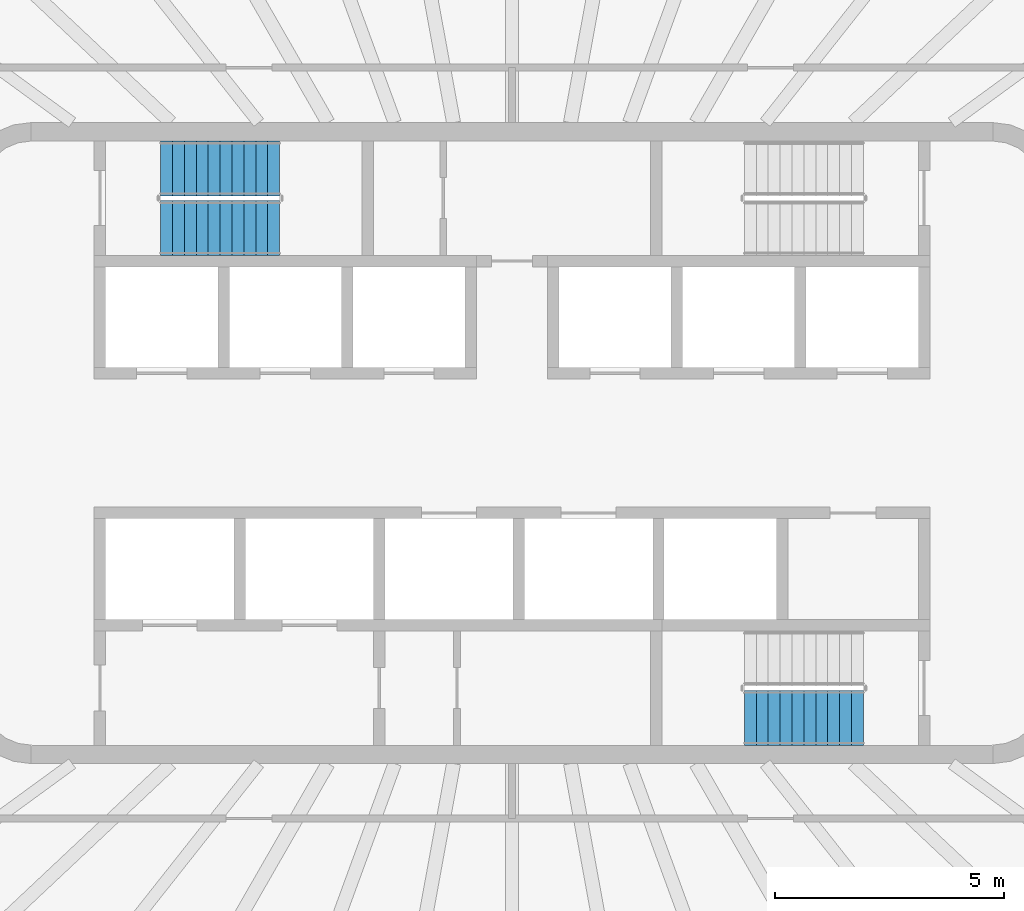
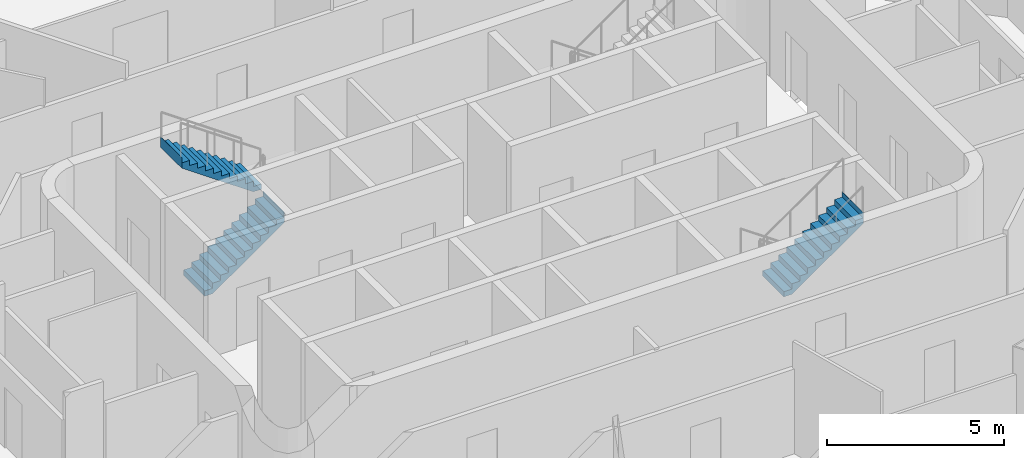
# One storey, part 14 of 21: 3 stair flights, 2 elements without a shape of their own.
"""IFC4 building model written with IfcOpenShell, lengths in metres."""

import ifcopenshell
import ifcopenshell.guid

model = None  # the IFC model being written
_history = None  # IfcOwnerHistory: only IFC2X3 demands one
_inside = {}  # id of a spatial element -> (the spatial element, [elements in it])
_under = {}  # id of a project, library or spatial element -> (it, [spatial elements below it])
_declared = {}  # id of a project -> (the project, [libraries it declares])
_typed = {}  # id of a type object -> (the type object, [elements of that type])
_made_of = {}  # id of a material, layer set ... -> (it, [elements and type objects made of it])


def new_model(schema):
    """Start an empty IFC model of exactly this schema.

    Asked for "IFC4X3", IfcOpenShell would pick the latest addendum, in which some entities
    have other attributes; the version numbers below select the first issue.
    IFC2X3 requires an IfcOwnerHistory on every rooted entity: one is made here for all.
    """
    global model, _history
    if schema == "IFC4X3":
        model = ifcopenshell.file(schema_version=(4, 3, 0, 0))
    else:
        model = ifcopenshell.file(schema=schema)
    _inside.clear()
    _under.clear()
    _declared.clear()
    _typed.clear()
    _made_of.clear()
    _history = None
    if model.schema == "IFC2X3":
        org = make("IfcOrganization", Name="unknown")
        user = make(
            "IfcPersonAndOrganization",
            ThePerson=make("IfcPerson", FamilyName="unknown"),
            TheOrganization=org,
        )
        app = make(
            "IfcApplication",
            ApplicationDeveloper=org,
            Version="unknown",
            ApplicationFullName="unknown",
            ApplicationIdentifier="unknown",
        )
        _history = make(
            "IfcOwnerHistory",
            OwningUser=user,
            OwningApplication=app,
            ChangeAction="ADDED",
            CreationDate=0,
        )
    return model


def make(cls, **values):
    """One entity of the class cls with the attributes given. An attribute that is None is left unset."""
    return model.create_entity(
        cls, **{name: value for name, value in values.items() if value is not None}
    )


def rooted(cls, **values):
    """An entity with a GlobalId (a new one), such as an element, a storey or a relation."""
    return make(cls, GlobalId=ifcopenshell.guid.new(), OwnerHistory=_history, **values)


def si_unit(unit_type, name, prefix=None):
    """IfcSIUnit, for example si_unit("LENGTHUNIT", "METRE", prefix="MILLI")."""
    return make("IfcSIUnit", UnitType=unit_type, Prefix=prefix, Name=name)


def assignment(units):
    """IfcUnitAssignment: the units of a project."""
    return None if units is None else make("IfcUnitAssignment", Units=units)


def point(xyz):
    """IfcCartesianPoint."""
    return None if xyz is None else make("IfcCartesianPoint", Coordinates=xyz)


def direction(xyz):
    """IfcDirection."""
    return None if xyz is None else make("IfcDirection", DirectionRatios=xyz)


def frame(location, z_axis=None, x_axis=None):
    """IfcAxis2Placement3D, a coordinate frame: its origin and axes. An axis left out is left unset."""
    return make(
        "IfcAxis2Placement3D",
        Location=point(location),
        Axis=direction(z_axis),
        RefDirection=direction(x_axis),
    )


def origin():
    """The frame at (0, 0, 0) with its axes left unset."""
    return frame((0.0, 0.0, 0.0))


def place(relative_to, where):
    """IfcLocalPlacement: puts the frame where relative to a parent placement (None: the world)."""
    return make(
        "IfcLocalPlacement", PlacementRelTo=relative_to, RelativePlacement=where
    )


def context(
    kind, dimensions, precision=None, world=None, true_north=None, identifier=None
):
    """IfcGeometricRepresentationContext, for example the 3D "Model" context."""
    return make(
        "IfcGeometricRepresentationContext",
        ContextIdentifier=identifier,
        ContextType=kind,
        CoordinateSpaceDimension=dimensions,
        Precision=precision,
        WorldCoordinateSystem=world,
        TrueNorth=true_north,
    )


def subcontext(parent, identifier, kind, view, scale=None):
    """IfcGeometricRepresentationSubContext, for example "Body" below "Model"."""
    return make(
        "IfcGeometricRepresentationSubContext",
        ContextIdentifier=identifier,
        ContextType=kind,
        ParentContext=parent,
        TargetScale=scale,
        TargetView=view,
    )


def project(units=None, contexts=None):
    """IfcProject with its units and contexts."""
    return rooted(
        "IfcProject",
        Name="project",
        RepresentationContexts=contexts,
        UnitsInContext=assignment(units),
    )


def spatial(cls, under=None, at=None, **own):
    """A site, building, storey or space (cls), placed at a placement, below another one or the project."""
    s = rooted(cls, ObjectPlacement=at, **own)
    if under is not None:
        _under.setdefault(under.id(), (under, []))[1].append(s)
    return s


def point_list(points):
    """IfcCartesianPointList2D or 3D."""
    cls = (
        "IfcCartesianPointList2D" if len(points[0]) == 2 else "IfcCartesianPointList3D"
    )
    return make(cls, CoordList=points)


def triangles(points, corners, closed=None, point_numbers=None):
    """IfcTriangulatedFaceSet: each triangle names its three corners, points numbered from 1."""
    return make(
        "IfcTriangulatedFaceSet",
        Coordinates=point_list(points),
        Closed=closed,
        CoordIndex=corners,
        PnIndex=point_numbers,
    )


def shape(context_of_items, identifier, shape_type, items):
    """IfcShapeRepresentation: the items that make up one representation, for example the "Body"."""
    return make(
        "IfcShapeRepresentation",
        ContextOfItems=context_of_items,
        RepresentationIdentifier=identifier,
        RepresentationType=shape_type,
        Items=items,
    )


def material(Name=None, Category=None):
    """IfcMaterial."""
    return make("IfcMaterial", Name=Name, Category=Category)


def made_of(thing, what):
    """Note that an element or type object is made of a material, layer set ...; save() writes the relation."""
    if what is not None:
        _made_of.setdefault(what.id(), (what, []))[1].append(thing)
    return thing


def type_object(cls, material=None, **own):
    """A type object (cls), such as IfcWallType, which elements share."""
    return made_of(rooted(cls, **own), material)


def element(
    cls,
    number,
    at=None,
    inside=None,
    cuts=None,
    type_object=None,
    material=None,
    context=None,
    identifier="Body",
    shape_type=None,
    held_by="IfcProductDefinitionShape",
    body=None,
    shapes=None,
    **own,
):
    """One element of the class cls, such as IfcWall. Its Tag is "e" and its number.

    at: its placement. inside: the storey or other place that contains it. cuts: it is an
    opening in that element (IfcRelVoidsElement). A single representation is given by context,
    identifier, shape_type and body (its items); several are given by shapes. held_by: the class
    of the entity that holds the representations. save() writes the other relations.
    """
    e = rooted(cls, Tag="e%d" % number, ObjectPlacement=at, **own)
    if body is not None:
        shapes = [shape(context, identifier, shape_type, body)]
    if shapes is not None:
        e.Representation = make(held_by, Representations=shapes)
    if inside is not None:
        _inside.setdefault(inside.id(), (inside, []))[1].append(e)
    if cuts is not None:
        rooted(
            "IfcRelVoidsElement", RelatingBuildingElement=cuts, RelatedOpeningElement=e
        )
    if type_object is not None:
        _typed.setdefault(type_object.id(), (type_object, []))[1].append(e)
    return made_of(e, material)


def aggregate(whole, parts):
    """IfcRelAggregates: a whole, such as a stair, and the parts it consists of."""
    return rooted("IfcRelAggregates", RelatingObject=whole, RelatedObjects=parts)


def save(model, path):
    """Write the relations noted so far, then the file.

    IfcRelAggregates (storeys below a building ...), IfcRelContainedInSpatialStructure (elements
    in a storey), IfcRelDefinesByType, IfcRelAssociatesMaterial and IfcRelDeclares: one each for
    every whole, place, type object, material and project.
    """
    for whole, parts in _under.values():
        aggregate(whole, parts)
    for where, things in _inside.values():
        rooted(
            "IfcRelContainedInSpatialStructure",
            RelatedElements=things,
            RelatingStructure=where,
        )
    for kind, things in _typed.values():
        rooted("IfcRelDefinesByType", RelatedObjects=things, RelatingType=kind)
    for what, things in _made_of.values():
        rooted("IfcRelAssociatesMaterial", RelatedObjects=things, RelatingMaterial=what)
    for by, libraries in _declared.values():
        rooted("IfcRelDeclares", RelatingContext=by, RelatedDefinitions=libraries)
    model.write(path)


model = new_model("IFC4")

# Units and contexts
model_context = context("Model", 3, precision=1e-05, world=origin(), true_north=direction((0.0, 1.0)))
body_context = subcontext(model_context, "Body", "Model", "MODEL_VIEW")
ifc_project = project(units=[si_unit("LENGTHUNIT", "METRE"), si_unit("AREAUNIT", "SQUARE_METRE"), si_unit("VOLUMEUNIT", "CUBIC_METRE"), si_unit("PLANEANGLEUNIT", "RADIAN"), si_unit("MASSUNIT", "GRAM", prefix="KILO")], contexts=[model_context])

# Site, building, storey
site_placement = place(None, origin())
site = spatial("IfcSite", under=ifc_project, at=site_placement, CompositionType="ELEMENT")
building_placement = place(site_placement, origin())
building = spatial("IfcBuilding", under=site, at=building_placement, Name="Sahrelin Media Tower", CompositionType="ELEMENT")
storey_placement = place(building_placement, frame((0.0, 0.0, 304.39990234375)))
storey = spatial("IfcBuildingStorey", under=building, at=storey_placement, Name="L67", CompositionType="ELEMENT", Elevation=304.39990234375)

# Stair, stair flights
ifc_material = material(Name="Concrete C40/50", Category="concrete")
stair_type = type_object("IfcStairType", Name="Exit stair 1200", PredefinedType="HALF_TURN_STAIR", material=ifc_material)
placement = place(storey_placement, origin())
stair_1 = element("IfcStair", 1, at=placement, inside=storey, type_object=stair_type, Name="L67 Exit stair ST1", PredefinedType="HALF_TURN_STAIR")
stair_flight_type = type_object("IfcStairFlightType", Name="Stair flight 1200", PredefinedType="STRAIGHT", material=ifc_material)
stair_flight_1_placement = place(storey_placement, frame((-7.675048828125, 4.699951171875, 0.0), z_axis=(0.0, 0.0, 1.0), x_axis=(1.0, 0.0, 0.0)))
stair_flight_1 = element("IfcStairFlight", 2, at=stair_flight_1_placement, type_object=stair_flight_type, Name="ST1 flight 1", NumberOfRisers=11, NumberOfTreads=10, PredefinedType="STRAIGHT", RiserHeight=0.181818182, TreadLength=0.26, context=body_context, shape_type="Tessellation", body=[
    triangles([(0.261474609375, 0.60009765625, 0.0), (0.261474609375, 0.300048828125, 0.0), (0.261474609375, 0.0, 0.0), (0.261474609375, -0.300048828125, 0.0), (0.261474609375, -0.60009765625, 0.0), (2.60009765625, 0.60009765625, 1.63525390625), (2.60009765625, 0.300048828125, 1.63525390625), (2.60009765625, 0.0, 1.63525390625), (2.60009765625, -0.300048828125, 1.63525390625), (2.60009765625, -0.60009765625, 1.63525390625), (2.60009765625, 0.60009765625, 2.0), (2.60009765625, 0.300048828125, 2.0), (2.60009765625, 0.0, 2.0), (2.60009765625, -0.300048828125, 2.0), (2.60009765625, -0.60009765625, 2.0), (2.597900390625, 0.60009765625, 2.0), (2.597900390625, 0.300048828125, 2.0), (2.597900390625, 0.0, 2.0), (2.597900390625, -0.300048828125, 2.0), (2.597900390625, -0.60009765625, 2.0), (2.597900390625, 0.60009765625, 1.818115234375), (2.597900390625, 0.300048828125, 1.818115234375), (2.597900390625, 0.0, 1.818115234375), (2.597900390625, -0.300048828125, 1.818115234375), (2.597900390625, -0.60009765625, 1.818115234375), (2.340087890625, 0.60009765625, 1.818115234375), (2.340087890625, 0.300048828125, 1.818115234375), (2.340087890625, 0.0, 1.818115234375), (2.340087890625, -0.300048828125, 1.818115234375), (2.340087890625, -0.60009765625, 1.818115234375), (2.340087890625, 0.60009765625, 1.636474609375), (2.340087890625, 0.300048828125, 1.636474609375), (2.340087890625, 0.0, 1.636474609375), (2.340087890625, -0.300048828125, 1.636474609375), (2.340087890625, -0.60009765625, 1.636474609375), (2.080078125, 0.60009765625, 1.636474609375), (2.080078125, 0.300048828125, 1.636474609375), (2.080078125, 0.0, 1.636474609375), (2.080078125, -0.300048828125, 1.636474609375), (2.080078125, -0.60009765625, 1.636474609375), (2.080078125, 0.60009765625, 1.45458984375), (2.080078125, 0.300048828125, 1.45458984375), (2.080078125, 0.0, 1.45458984375), (2.080078125, -0.300048828125, 1.45458984375), (2.080078125, -0.60009765625, 1.45458984375), (1.820068359375, 0.60009765625, 1.45458984375), (1.820068359375, 0.300048828125, 1.45458984375), (1.820068359375, 0.0, 1.45458984375), (1.820068359375, -0.300048828125, 1.45458984375), (1.820068359375, -0.60009765625, 1.45458984375), (1.820068359375, 0.60009765625, 1.272705078125), (1.820068359375, 0.300048828125, 1.272705078125), (1.820068359375, 0.0, 1.272705078125), (1.820068359375, -0.300048828125, 1.272705078125), (1.820068359375, -0.60009765625, 1.272705078125), (1.56005859375, 0.60009765625, 1.272705078125), (1.56005859375, 0.300048828125, 1.272705078125), (1.56005859375, 0.0, 1.272705078125), (1.56005859375, -0.300048828125, 1.272705078125), (1.56005859375, -0.60009765625, 1.272705078125), (1.56005859375, 0.60009765625, 1.0908203125), (1.56005859375, 0.300048828125, 1.0908203125), (1.56005859375, 0.0, 1.0908203125), (1.56005859375, -0.300048828125, 1.0908203125), (1.56005859375, -0.60009765625, 1.0908203125), (1.300048828125, 0.60009765625, 1.0908203125), (1.300048828125, 0.300048828125, 1.0908203125), (1.300048828125, 0.0, 1.0908203125), (1.300048828125, -0.300048828125, 1.0908203125), (1.300048828125, -0.60009765625, 1.0908203125), (1.300048828125, 0.60009765625, 0.9091796875), (1.300048828125, 0.300048828125, 0.9091796875), (1.300048828125, 0.0, 0.9091796875), (1.300048828125, -0.300048828125, 0.9091796875), (1.300048828125, -0.60009765625, 0.9091796875), (1.0400390625, 0.60009765625, 0.9091796875), (1.0400390625, 0.300048828125, 0.9091796875), (1.0400390625, 0.0, 0.9091796875), (1.0400390625, -0.300048828125, 0.9091796875), (1.0400390625, -0.60009765625, 0.9091796875), (1.0400390625, 0.60009765625, 0.727294921875), (1.0400390625, 0.300048828125, 0.727294921875), (1.0400390625, 0.0, 0.727294921875), (1.0400390625, -0.300048828125, 0.727294921875), (1.0400390625, -0.60009765625, 0.727294921875), (0.780029296875, 0.60009765625, 0.727294921875), (0.780029296875, 0.300048828125, 0.727294921875), (0.780029296875, 0.0, 0.727294921875), (0.780029296875, -0.300048828125, 0.727294921875), (0.780029296875, -0.60009765625, 0.727294921875), (0.780029296875, 0.60009765625, 0.54541015625), (0.780029296875, 0.300048828125, 0.54541015625), (0.780029296875, 0.0, 0.54541015625), (0.780029296875, -0.300048828125, 0.54541015625), (0.780029296875, -0.60009765625, 0.54541015625), (0.52001953125, 0.60009765625, 0.54541015625), (0.52001953125, 0.300048828125, 0.54541015625), (0.52001953125, 0.0, 0.54541015625), (0.52001953125, -0.300048828125, 0.54541015625), (0.52001953125, -0.60009765625, 0.54541015625), (0.52001953125, 0.60009765625, 0.363525390625), (0.52001953125, 0.300048828125, 0.363525390625), (0.52001953125, 0.0, 0.363525390625), (0.52001953125, -0.300048828125, 0.363525390625), (0.52001953125, -0.60009765625, 0.363525390625), (0.260009765625, 0.60009765625, 0.363525390625), (0.260009765625, 0.300048828125, 0.363525390625), (0.260009765625, 0.0, 0.363525390625), (0.260009765625, -0.300048828125, 0.363525390625), (0.260009765625, -0.60009765625, 0.363525390625), (0.260009765625, 0.60009765625, 0.181884765625), (0.260009765625, 0.300048828125, 0.181884765625), (0.260009765625, 0.0, 0.181884765625), (0.260009765625, -0.300048828125, 0.181884765625), (0.260009765625, -0.60009765625, 0.181884765625), (0.0, 0.60009765625, 0.181884765625), (0.0, 0.300048828125, 0.181884765625), (0.0, 0.0, 0.181884765625), (0.0, -0.300048828125, 0.181884765625), (0.0, -0.60009765625, 0.181884765625), (0.0, 0.60009765625, 0.0), (0.0, 0.300048828125, 0.0), (0.0, 0.0, 0.0), (0.0, -0.300048828125, 0.0), (0.0, -0.60009765625, 0.0)], [[1, 6, 7], [1, 7, 2], [2, 7, 8], [2, 8, 3], [3, 8, 9], [3, 9, 4], [4, 9, 10], [4, 10, 5], [6, 11, 12], [6, 12, 7], [7, 12, 13], [7, 13, 8], [8, 13, 14], [8, 14, 9], [9, 14, 15], [9, 15, 10], [11, 16, 17], [11, 17, 12], [12, 17, 18], [12, 18, 13], [13, 18, 19], [13, 19, 14], [14, 19, 20], [14, 20, 15], [16, 21, 22], [16, 22, 17], [17, 22, 23], [17, 23, 18], [18, 23, 24], [18, 24, 19], [19, 24, 25], [19, 25, 20], [21, 26, 27], [21, 27, 22], [22, 27, 28], [22, 28, 23], [23, 28, 29], [23, 29, 24], [24, 29, 30], [24, 30, 25], [26, 31, 32], [26, 32, 27], [27, 32, 33], [27, 33, 28], [28, 33, 34], [28, 34, 29], [29, 34, 35], [29, 35, 30], [31, 36, 37], [31, 37, 32], [32, 37, 38], [32, 38, 33], [33, 38, 39], [33, 39, 34], [34, 39, 40], [34, 40, 35], [36, 41, 42], [36, 42, 37], [37, 42, 43], [37, 43, 38], [38, 43, 44], [38, 44, 39], [39, 44, 45], [39, 45, 40], [41, 46, 47], [41, 47, 42], [42, 47, 48], [42, 48, 43], [43, 48, 49], [43, 49, 44], [44, 49, 50], [44, 50, 45], [46, 51, 52], [46, 52, 47], [47, 52, 53], [47, 53, 48], [48, 53, 54], [48, 54, 49], [49, 54, 55], [49, 55, 50], [51, 56, 57], [51, 57, 52], [52, 57, 58], [52, 58, 53], [53, 58, 59], [53, 59, 54], [54, 59, 60], [54, 60, 55], [56, 61, 62], [56, 62, 57], [57, 62, 63], [57, 63, 58], [58, 63, 64], [58, 64, 59], [59, 64, 65], [59, 65, 60], [61, 66, 67], [61, 67, 62], [62, 67, 68], [62, 68, 63], [63, 68, 69], [63, 69, 64], [64, 69, 70], [64, 70, 65], [66, 71, 72], [66, 72, 67], [67, 72, 73], [67, 73, 68], [68, 73, 74], [68, 74, 69], [69, 74, 75], [69, 75, 70], [71, 76, 77], [71, 77, 72], [72, 77, 78], [72, 78, 73], [73, 78, 79], [73, 79, 74], [74, 79, 80], [74, 80, 75], [76, 81, 82], [76, 82, 77], [77, 82, 83], [77, 83, 78], [78, 83, 84], [78, 84, 79], [79, 84, 85], [79, 85, 80], [81, 86, 87], [81, 87, 82], [82, 87, 88], [82, 88, 83], [83, 88, 89], [83, 89, 84], [84, 89, 90], [84, 90, 85], [86, 91, 92], [86, 92, 87], [87, 92, 93], [87, 93, 88], [88, 93, 94], [88, 94, 89], [89, 94, 95], [89, 95, 90], [91, 96, 97], [91, 97, 92], [92, 97, 98], [92, 98, 93], [93, 98, 99], [93, 99, 94], [94, 99, 100], [94, 100, 95], [96, 101, 102], [96, 102, 97], [97, 102, 103], [97, 103, 98], [98, 103, 104], [98, 104, 99], [99, 104, 105], [99, 105, 100], [101, 106, 107], [101, 107, 102], [102, 107, 108], [102, 108, 103], [103, 108, 109], [103, 109, 104], [104, 109, 110], [104, 110, 105], [106, 111, 112], [106, 112, 107], [107, 112, 113], [107, 113, 108], [108, 113, 114], [108, 114, 109], [109, 114, 115], [109, 115, 110], [111, 116, 117], [111, 117, 112], [112, 117, 118], [112, 118, 113], [113, 118, 119], [113, 119, 114], [114, 119, 120], [114, 120, 115], [116, 121, 122], [116, 122, 117], [117, 122, 123], [117, 123, 118], [118, 123, 124], [118, 124, 119], [119, 124, 125], [119, 125, 120], [121, 1, 2], [121, 2, 122], [122, 2, 3], [122, 3, 123], [123, 3, 4], [123, 4, 124], [124, 4, 5], [124, 5, 125], [115, 120, 125], [111, 121, 116], [115, 105, 110], [111, 106, 101], [105, 95, 100], [101, 96, 91], [95, 85, 90], [91, 86, 81], [85, 75, 80], [81, 76, 71], [75, 65, 70], [71, 66, 61], [65, 55, 60], [61, 56, 51], [55, 45, 50], [51, 46, 41], [45, 35, 40], [41, 36, 31], [35, 25, 30], [31, 26, 21], [25, 15, 20], [21, 16, 11], [125, 5, 115], [121, 111, 1], [25, 10, 15], [21, 11, 6], [105, 115, 5], [101, 1, 111], [35, 10, 25], [31, 21, 6], [95, 105, 5], [91, 1, 101], [45, 10, 35], [41, 31, 6], [85, 95, 5], [81, 1, 91], [55, 10, 45], [51, 41, 6], [75, 85, 5], [71, 1, 81], [65, 10, 55], [61, 51, 6], [5, 10, 75], [1, 71, 6], [75, 10, 65], [71, 61, 6]], closed=True),
])
stair_flight_2_placement = place(storey_placement, frame((-5.074951171875, 6.0, 2.0), z_axis=(0.0, 0.0, 1.0), x_axis=(-1.0, 0.0, 0.0)))
stair_flight_2 = element("IfcStairFlight", 3, at=stair_flight_2_placement, type_object=stair_flight_type, Name="ST1 flight 2", NumberOfRisers=11, NumberOfTreads=10, PredefinedType="STRAIGHT", RiserHeight=0.181818182, TreadLength=0.26, context=body_context, shape_type="Tessellation", body=[
    triangles([(0.261474609375, 0.60009765625, 0.0), (0.261474609375, 0.300048828125, 0.0), (0.261474609375, 0.0, 0.0), (0.261474609375, -0.300048828125, 0.0), (0.261474609375, -0.60009765625, 0.0), (2.60009765625, 0.60009765625, 1.63525390625), (2.60009765625, 0.300048828125, 1.63525390625), (2.60009765625, 0.0, 1.63525390625), (2.60009765625, -0.300048828125, 1.63525390625), (2.60009765625, -0.60009765625, 1.63525390625), (2.60009765625, 0.60009765625, 2.0), (2.60009765625, 0.300048828125, 2.0), (2.60009765625, 0.0, 2.0), (2.60009765625, -0.300048828125, 2.0), (2.60009765625, -0.60009765625, 2.0), (2.597900390625, 0.60009765625, 2.0), (2.597900390625, 0.300048828125, 2.0), (2.597900390625, 0.0, 2.0), (2.597900390625, -0.300048828125, 2.0), (2.597900390625, -0.60009765625, 2.0), (2.597900390625, 0.60009765625, 1.818115234375), (2.597900390625, 0.300048828125, 1.818115234375), (2.597900390625, 0.0, 1.818115234375), (2.597900390625, -0.300048828125, 1.818115234375), (2.597900390625, -0.60009765625, 1.818115234375), (2.340087890625, 0.60009765625, 1.818115234375), (2.340087890625, 0.300048828125, 1.818115234375), (2.340087890625, 0.0, 1.818115234375), (2.340087890625, -0.300048828125, 1.818115234375), (2.340087890625, -0.60009765625, 1.818115234375), (2.340087890625, 0.60009765625, 1.636474609375), (2.340087890625, 0.300048828125, 1.636474609375), (2.340087890625, 0.0, 1.636474609375), (2.340087890625, -0.300048828125, 1.636474609375), (2.340087890625, -0.60009765625, 1.636474609375), (2.080078125, 0.60009765625, 1.636474609375), (2.080078125, 0.300048828125, 1.636474609375), (2.080078125, 0.0, 1.636474609375), (2.080078125, -0.300048828125, 1.636474609375), (2.080078125, -0.60009765625, 1.636474609375), (2.080078125, 0.60009765625, 1.45458984375), (2.080078125, 0.300048828125, 1.45458984375), (2.080078125, 0.0, 1.45458984375), (2.080078125, -0.300048828125, 1.45458984375), (2.080078125, -0.60009765625, 1.45458984375), (1.820068359375, 0.60009765625, 1.45458984375), (1.820068359375, 0.300048828125, 1.45458984375), (1.820068359375, 0.0, 1.45458984375), (1.820068359375, -0.300048828125, 1.45458984375), (1.820068359375, -0.60009765625, 1.45458984375), (1.820068359375, 0.60009765625, 1.272705078125), (1.820068359375, 0.300048828125, 1.272705078125), (1.820068359375, 0.0, 1.272705078125), (1.820068359375, -0.300048828125, 1.272705078125), (1.820068359375, -0.60009765625, 1.272705078125), (1.56005859375, 0.60009765625, 1.272705078125), (1.56005859375, 0.300048828125, 1.272705078125), (1.56005859375, 0.0, 1.272705078125), (1.56005859375, -0.300048828125, 1.272705078125), (1.56005859375, -0.60009765625, 1.272705078125), (1.56005859375, 0.60009765625, 1.0908203125), (1.56005859375, 0.300048828125, 1.0908203125), (1.56005859375, 0.0, 1.0908203125), (1.56005859375, -0.300048828125, 1.0908203125), (1.56005859375, -0.60009765625, 1.0908203125), (1.300048828125, 0.60009765625, 1.0908203125), (1.300048828125, 0.300048828125, 1.0908203125), (1.300048828125, 0.0, 1.0908203125), (1.300048828125, -0.300048828125, 1.0908203125), (1.300048828125, -0.60009765625, 1.0908203125), (1.300048828125, 0.60009765625, 0.9091796875), (1.300048828125, 0.300048828125, 0.9091796875), (1.300048828125, 0.0, 0.9091796875), (1.300048828125, -0.300048828125, 0.9091796875), (1.300048828125, -0.60009765625, 0.9091796875), (1.0400390625, 0.60009765625, 0.9091796875), (1.0400390625, 0.300048828125, 0.9091796875), (1.0400390625, 0.0, 0.9091796875), (1.0400390625, -0.300048828125, 0.9091796875), (1.0400390625, -0.60009765625, 0.9091796875), (1.0400390625, 0.60009765625, 0.727294921875), (1.0400390625, 0.300048828125, 0.727294921875), (1.0400390625, 0.0, 0.727294921875), (1.0400390625, -0.300048828125, 0.727294921875), (1.0400390625, -0.60009765625, 0.727294921875), (0.780029296875, 0.60009765625, 0.727294921875), (0.780029296875, 0.300048828125, 0.727294921875), (0.780029296875, 0.0, 0.727294921875), (0.780029296875, -0.300048828125, 0.727294921875), (0.780029296875, -0.60009765625, 0.727294921875), (0.780029296875, 0.60009765625, 0.54541015625), (0.780029296875, 0.300048828125, 0.54541015625), (0.780029296875, 0.0, 0.54541015625), (0.780029296875, -0.300048828125, 0.54541015625), (0.780029296875, -0.60009765625, 0.54541015625), (0.52001953125, 0.60009765625, 0.54541015625), (0.52001953125, 0.300048828125, 0.54541015625), (0.52001953125, 0.0, 0.54541015625), (0.52001953125, -0.300048828125, 0.54541015625), (0.52001953125, -0.60009765625, 0.54541015625), (0.52001953125, 0.60009765625, 0.363525390625), (0.52001953125, 0.300048828125, 0.363525390625), (0.52001953125, 0.0, 0.363525390625), (0.52001953125, -0.300048828125, 0.363525390625), (0.52001953125, -0.60009765625, 0.363525390625), (0.260009765625, 0.60009765625, 0.363525390625), (0.260009765625, 0.300048828125, 0.363525390625), (0.260009765625, 0.0, 0.363525390625), (0.260009765625, -0.300048828125, 0.363525390625), (0.260009765625, -0.60009765625, 0.363525390625), (0.260009765625, 0.60009765625, 0.181884765625), (0.260009765625, 0.300048828125, 0.181884765625), (0.260009765625, 0.0, 0.181884765625), (0.260009765625, -0.300048828125, 0.181884765625), (0.260009765625, -0.60009765625, 0.181884765625), (0.0, 0.60009765625, 0.181884765625), (0.0, 0.300048828125, 0.181884765625), (0.0, 0.0, 0.181884765625), (0.0, -0.300048828125, 0.181884765625), (0.0, -0.60009765625, 0.181884765625), (0.0, 0.60009765625, 0.0), (0.0, 0.300048828125, 0.0), (0.0, 0.0, 0.0), (0.0, -0.300048828125, 0.0), (0.0, -0.60009765625, 0.0)], [[1, 6, 7], [1, 7, 2], [2, 7, 8], [2, 8, 3], [3, 8, 9], [3, 9, 4], [4, 9, 10], [4, 10, 5], [6, 11, 12], [6, 12, 7], [7, 12, 13], [7, 13, 8], [8, 13, 14], [8, 14, 9], [9, 14, 15], [9, 15, 10], [11, 16, 17], [11, 17, 12], [12, 17, 18], [12, 18, 13], [13, 18, 19], [13, 19, 14], [14, 19, 20], [14, 20, 15], [16, 21, 22], [16, 22, 17], [17, 22, 23], [17, 23, 18], [18, 23, 24], [18, 24, 19], [19, 24, 25], [19, 25, 20], [21, 26, 27], [21, 27, 22], [22, 27, 28], [22, 28, 23], [23, 28, 29], [23, 29, 24], [24, 29, 30], [24, 30, 25], [26, 31, 32], [26, 32, 27], [27, 32, 33], [27, 33, 28], [28, 33, 34], [28, 34, 29], [29, 34, 35], [29, 35, 30], [31, 36, 37], [31, 37, 32], [32, 37, 38], [32, 38, 33], [33, 38, 39], [33, 39, 34], [34, 39, 40], [34, 40, 35], [36, 41, 42], [36, 42, 37], [37, 42, 43], [37, 43, 38], [38, 43, 44], [38, 44, 39], [39, 44, 45], [39, 45, 40], [41, 46, 47], [41, 47, 42], [42, 47, 48], [42, 48, 43], [43, 48, 49], [43, 49, 44], [44, 49, 50], [44, 50, 45], [46, 51, 52], [46, 52, 47], [47, 52, 53], [47, 53, 48], [48, 53, 54], [48, 54, 49], [49, 54, 55], [49, 55, 50], [51, 56, 57], [51, 57, 52], [52, 57, 58], [52, 58, 53], [53, 58, 59], [53, 59, 54], [54, 59, 60], [54, 60, 55], [56, 61, 62], [56, 62, 57], [57, 62, 63], [57, 63, 58], [58, 63, 64], [58, 64, 59], [59, 64, 65], [59, 65, 60], [61, 66, 67], [61, 67, 62], [62, 67, 68], [62, 68, 63], [63, 68, 69], [63, 69, 64], [64, 69, 70], [64, 70, 65], [66, 71, 72], [66, 72, 67], [67, 72, 73], [67, 73, 68], [68, 73, 74], [68, 74, 69], [69, 74, 75], [69, 75, 70], [71, 76, 77], [71, 77, 72], [72, 77, 78], [72, 78, 73], [73, 78, 79], [73, 79, 74], [74, 79, 80], [74, 80, 75], [76, 81, 82], [76, 82, 77], [77, 82, 83], [77, 83, 78], [78, 83, 84], [78, 84, 79], [79, 84, 85], [79, 85, 80], [81, 86, 87], [81, 87, 82], [82, 87, 88], [82, 88, 83], [83, 88, 89], [83, 89, 84], [84, 89, 90], [84, 90, 85], [86, 91, 92], [86, 92, 87], [87, 92, 93], [87, 93, 88], [88, 93, 94], [88, 94, 89], [89, 94, 95], [89, 95, 90], [91, 96, 97], [91, 97, 92], [92, 97, 98], [92, 98, 93], [93, 98, 99], [93, 99, 94], [94, 99, 100], [94, 100, 95], [96, 101, 102], [96, 102, 97], [97, 102, 103], [97, 103, 98], [98, 103, 104], [98, 104, 99], [99, 104, 105], [99, 105, 100], [101, 106, 107], [101, 107, 102], [102, 107, 108], [102, 108, 103], [103, 108, 109], [103, 109, 104], [104, 109, 110], [104, 110, 105], [106, 111, 112], [106, 112, 107], [107, 112, 113], [107, 113, 108], [108, 113, 114], [108, 114, 109], [109, 114, 115], [109, 115, 110], [111, 116, 117], [111, 117, 112], [112, 117, 118], [112, 118, 113], [113, 118, 119], [113, 119, 114], [114, 119, 120], [114, 120, 115], [116, 121, 122], [116, 122, 117], [117, 122, 123], [117, 123, 118], [118, 123, 124], [118, 124, 119], [119, 124, 125], [119, 125, 120], [121, 1, 2], [121, 2, 122], [122, 2, 3], [122, 3, 123], [123, 3, 4], [123, 4, 124], [124, 4, 5], [124, 5, 125], [115, 120, 125], [111, 121, 116], [115, 105, 110], [111, 106, 101], [105, 95, 100], [101, 96, 91], [95, 85, 90], [91, 86, 81], [85, 75, 80], [81, 76, 71], [75, 65, 70], [71, 66, 61], [65, 55, 60], [61, 56, 51], [55, 45, 50], [51, 46, 41], [45, 35, 40], [41, 36, 31], [35, 25, 30], [31, 26, 21], [25, 15, 20], [21, 16, 11], [125, 5, 115], [121, 111, 1], [25, 10, 15], [21, 11, 6], [105, 115, 5], [101, 1, 111], [35, 10, 25], [31, 21, 6], [95, 105, 5], [91, 1, 101], [45, 10, 35], [41, 31, 6], [85, 95, 5], [81, 1, 91], [55, 10, 45], [51, 41, 6], [75, 85, 5], [71, 1, 81], [65, 10, 55], [61, 51, 6], [5, 10, 75], [1, 71, 6], [75, 10, 65], [71, 61, 6]], closed=True),
])
aggregate(stair_1, [stair_flight_1, stair_flight_2])

# Stair, stair flight
stair_2 = element("IfcStair", 4, at=placement, inside=storey, type_object=stair_type, Name="L67 Exit stair ST2", PredefinedType="HALF_TURN_STAIR")
stair_flight_3_placement = place(storey_placement, frame((5.074951171875, -6.0, 2.0), z_axis=(0.0, 0.0, 1.0), x_axis=(1.0, 0.0, 0.0)))
stair_flight_3 = element("IfcStairFlight", 5, at=stair_flight_3_placement, type_object=stair_flight_type, Name="ST2 flight 2", NumberOfRisers=11, NumberOfTreads=10, PredefinedType="STRAIGHT", RiserHeight=0.181818182, TreadLength=0.26, context=body_context, shape_type="Tessellation", body=[
    triangles([(0.261474609375, 0.60009765625, 0.0), (0.261474609375, 0.300048828125, 0.0), (0.261474609375, 0.0, 0.0), (0.261474609375, -0.300048828125, 0.0), (0.261474609375, -0.60009765625, 0.0), (2.60009765625, 0.60009765625, 1.63525390625), (2.60009765625, 0.300048828125, 1.63525390625), (2.60009765625, 0.0, 1.63525390625), (2.60009765625, -0.300048828125, 1.63525390625), (2.60009765625, -0.60009765625, 1.63525390625), (2.60009765625, 0.60009765625, 2.0), (2.60009765625, 0.300048828125, 2.0), (2.60009765625, 0.0, 2.0), (2.60009765625, -0.300048828125, 2.0), (2.60009765625, -0.60009765625, 2.0), (2.597900390625, 0.60009765625, 2.0), (2.597900390625, 0.300048828125, 2.0), (2.597900390625, 0.0, 2.0), (2.597900390625, -0.300048828125, 2.0), (2.597900390625, -0.60009765625, 2.0), (2.597900390625, 0.60009765625, 1.818115234375), (2.597900390625, 0.300048828125, 1.818115234375), (2.597900390625, 0.0, 1.818115234375), (2.597900390625, -0.300048828125, 1.818115234375), (2.597900390625, -0.60009765625, 1.818115234375), (2.340087890625, 0.60009765625, 1.818115234375), (2.340087890625, 0.300048828125, 1.818115234375), (2.340087890625, 0.0, 1.818115234375), (2.340087890625, -0.300048828125, 1.818115234375), (2.340087890625, -0.60009765625, 1.818115234375), (2.340087890625, 0.60009765625, 1.636474609375), (2.340087890625, 0.300048828125, 1.636474609375), (2.340087890625, 0.0, 1.636474609375), (2.340087890625, -0.300048828125, 1.636474609375), (2.340087890625, -0.60009765625, 1.636474609375), (2.080078125, 0.60009765625, 1.636474609375), (2.080078125, 0.300048828125, 1.636474609375), (2.080078125, 0.0, 1.636474609375), (2.080078125, -0.300048828125, 1.636474609375), (2.080078125, -0.60009765625, 1.636474609375), (2.080078125, 0.60009765625, 1.45458984375), (2.080078125, 0.300048828125, 1.45458984375), (2.080078125, 0.0, 1.45458984375), (2.080078125, -0.300048828125, 1.45458984375), (2.080078125, -0.60009765625, 1.45458984375), (1.820068359375, 0.60009765625, 1.45458984375), (1.820068359375, 0.300048828125, 1.45458984375), (1.820068359375, 0.0, 1.45458984375), (1.820068359375, -0.300048828125, 1.45458984375), (1.820068359375, -0.60009765625, 1.45458984375), (1.820068359375, 0.60009765625, 1.272705078125), (1.820068359375, 0.300048828125, 1.272705078125), (1.820068359375, 0.0, 1.272705078125), (1.820068359375, -0.300048828125, 1.272705078125), (1.820068359375, -0.60009765625, 1.272705078125), (1.56005859375, 0.60009765625, 1.272705078125), (1.56005859375, 0.300048828125, 1.272705078125), (1.56005859375, 0.0, 1.272705078125), (1.56005859375, -0.300048828125, 1.272705078125), (1.56005859375, -0.60009765625, 1.272705078125), (1.56005859375, 0.60009765625, 1.0908203125), (1.56005859375, 0.300048828125, 1.0908203125), (1.56005859375, 0.0, 1.0908203125), (1.56005859375, -0.300048828125, 1.0908203125), (1.56005859375, -0.60009765625, 1.0908203125), (1.300048828125, 0.60009765625, 1.0908203125), (1.300048828125, 0.300048828125, 1.0908203125), (1.300048828125, 0.0, 1.0908203125), (1.300048828125, -0.300048828125, 1.0908203125), (1.300048828125, -0.60009765625, 1.0908203125), (1.300048828125, 0.60009765625, 0.9091796875), (1.300048828125, 0.300048828125, 0.9091796875), (1.300048828125, 0.0, 0.9091796875), (1.300048828125, -0.300048828125, 0.9091796875), (1.300048828125, -0.60009765625, 0.9091796875), (1.0400390625, 0.60009765625, 0.9091796875), (1.0400390625, 0.300048828125, 0.9091796875), (1.0400390625, 0.0, 0.9091796875), (1.0400390625, -0.300048828125, 0.9091796875), (1.0400390625, -0.60009765625, 0.9091796875), (1.0400390625, 0.60009765625, 0.727294921875), (1.0400390625, 0.300048828125, 0.727294921875), (1.0400390625, 0.0, 0.727294921875), (1.0400390625, -0.300048828125, 0.727294921875), (1.0400390625, -0.60009765625, 0.727294921875), (0.780029296875, 0.60009765625, 0.727294921875), (0.780029296875, 0.300048828125, 0.727294921875), (0.780029296875, 0.0, 0.727294921875), (0.780029296875, -0.300048828125, 0.727294921875), (0.780029296875, -0.60009765625, 0.727294921875), (0.780029296875, 0.60009765625, 0.54541015625), (0.780029296875, 0.300048828125, 0.54541015625), (0.780029296875, 0.0, 0.54541015625), (0.780029296875, -0.300048828125, 0.54541015625), (0.780029296875, -0.60009765625, 0.54541015625), (0.52001953125, 0.60009765625, 0.54541015625), (0.52001953125, 0.300048828125, 0.54541015625), (0.52001953125, 0.0, 0.54541015625), (0.52001953125, -0.300048828125, 0.54541015625), (0.52001953125, -0.60009765625, 0.54541015625), (0.52001953125, 0.60009765625, 0.363525390625), (0.52001953125, 0.300048828125, 0.363525390625), (0.52001953125, 0.0, 0.363525390625), (0.52001953125, -0.300048828125, 0.363525390625), (0.52001953125, -0.60009765625, 0.363525390625), (0.260009765625, 0.60009765625, 0.363525390625), (0.260009765625, 0.300048828125, 0.363525390625), (0.260009765625, 0.0, 0.363525390625), (0.260009765625, -0.300048828125, 0.363525390625), (0.260009765625, -0.60009765625, 0.363525390625), (0.260009765625, 0.60009765625, 0.181884765625), (0.260009765625, 0.300048828125, 0.181884765625), (0.260009765625, 0.0, 0.181884765625), (0.260009765625, -0.300048828125, 0.181884765625), (0.260009765625, -0.60009765625, 0.181884765625), (0.0, 0.60009765625, 0.181884765625), (0.0, 0.300048828125, 0.181884765625), (0.0, 0.0, 0.181884765625), (0.0, -0.300048828125, 0.181884765625), (0.0, -0.60009765625, 0.181884765625), (0.0, 0.60009765625, 0.0), (0.0, 0.300048828125, 0.0), (0.0, 0.0, 0.0), (0.0, -0.300048828125, 0.0), (0.0, -0.60009765625, 0.0)], [[1, 6, 7], [1, 7, 2], [2, 7, 8], [2, 8, 3], [3, 8, 9], [3, 9, 4], [4, 9, 10], [4, 10, 5], [6, 11, 12], [6, 12, 7], [7, 12, 13], [7, 13, 8], [8, 13, 14], [8, 14, 9], [9, 14, 15], [9, 15, 10], [11, 16, 17], [11, 17, 12], [12, 17, 18], [12, 18, 13], [13, 18, 19], [13, 19, 14], [14, 19, 20], [14, 20, 15], [16, 21, 22], [16, 22, 17], [17, 22, 23], [17, 23, 18], [18, 23, 24], [18, 24, 19], [19, 24, 25], [19, 25, 20], [21, 26, 27], [21, 27, 22], [22, 27, 28], [22, 28, 23], [23, 28, 29], [23, 29, 24], [24, 29, 30], [24, 30, 25], [26, 31, 32], [26, 32, 27], [27, 32, 33], [27, 33, 28], [28, 33, 34], [28, 34, 29], [29, 34, 35], [29, 35, 30], [31, 36, 37], [31, 37, 32], [32, 37, 38], [32, 38, 33], [33, 38, 39], [33, 39, 34], [34, 39, 40], [34, 40, 35], [36, 41, 42], [36, 42, 37], [37, 42, 43], [37, 43, 38], [38, 43, 44], [38, 44, 39], [39, 44, 45], [39, 45, 40], [41, 46, 47], [41, 47, 42], [42, 47, 48], [42, 48, 43], [43, 48, 49], [43, 49, 44], [44, 49, 50], [44, 50, 45], [46, 51, 52], [46, 52, 47], [47, 52, 53], [47, 53, 48], [48, 53, 54], [48, 54, 49], [49, 54, 55], [49, 55, 50], [51, 56, 57], [51, 57, 52], [52, 57, 58], [52, 58, 53], [53, 58, 59], [53, 59, 54], [54, 59, 60], [54, 60, 55], [56, 61, 62], [56, 62, 57], [57, 62, 63], [57, 63, 58], [58, 63, 64], [58, 64, 59], [59, 64, 65], [59, 65, 60], [61, 66, 67], [61, 67, 62], [62, 67, 68], [62, 68, 63], [63, 68, 69], [63, 69, 64], [64, 69, 70], [64, 70, 65], [66, 71, 72], [66, 72, 67], [67, 72, 73], [67, 73, 68], [68, 73, 74], [68, 74, 69], [69, 74, 75], [69, 75, 70], [71, 76, 77], [71, 77, 72], [72, 77, 78], [72, 78, 73], [73, 78, 79], [73, 79, 74], [74, 79, 80], [74, 80, 75], [76, 81, 82], [76, 82, 77], [77, 82, 83], [77, 83, 78], [78, 83, 84], [78, 84, 79], [79, 84, 85], [79, 85, 80], [81, 86, 87], [81, 87, 82], [82, 87, 88], [82, 88, 83], [83, 88, 89], [83, 89, 84], [84, 89, 90], [84, 90, 85], [86, 91, 92], [86, 92, 87], [87, 92, 93], [87, 93, 88], [88, 93, 94], [88, 94, 89], [89, 94, 95], [89, 95, 90], [91, 96, 97], [91, 97, 92], [92, 97, 98], [92, 98, 93], [93, 98, 99], [93, 99, 94], [94, 99, 100], [94, 100, 95], [96, 101, 102], [96, 102, 97], [97, 102, 103], [97, 103, 98], [98, 103, 104], [98, 104, 99], [99, 104, 105], [99, 105, 100], [101, 106, 107], [101, 107, 102], [102, 107, 108], [102, 108, 103], [103, 108, 109], [103, 109, 104], [104, 109, 110], [104, 110, 105], [106, 111, 112], [106, 112, 107], [107, 112, 113], [107, 113, 108], [108, 113, 114], [108, 114, 109], [109, 114, 115], [109, 115, 110], [111, 116, 117], [111, 117, 112], [112, 117, 118], [112, 118, 113], [113, 118, 119], [113, 119, 114], [114, 119, 120], [114, 120, 115], [116, 121, 122], [116, 122, 117], [117, 122, 123], [117, 123, 118], [118, 123, 124], [118, 124, 119], [119, 124, 125], [119, 125, 120], [121, 1, 2], [121, 2, 122], [122, 2, 3], [122, 3, 123], [123, 3, 4], [123, 4, 124], [124, 4, 5], [124, 5, 125], [115, 120, 125], [111, 121, 116], [115, 105, 110], [111, 106, 101], [105, 95, 100], [101, 96, 91], [95, 85, 90], [91, 86, 81], [85, 75, 80], [81, 76, 71], [75, 65, 70], [71, 66, 61], [65, 55, 60], [61, 56, 51], [55, 45, 50], [51, 46, 41], [45, 35, 40], [41, 36, 31], [35, 25, 30], [31, 26, 21], [25, 15, 20], [21, 16, 11], [125, 5, 115], [121, 111, 1], [25, 10, 15], [21, 11, 6], [105, 115, 5], [101, 1, 111], [35, 10, 25], [31, 21, 6], [95, 105, 5], [91, 1, 101], [45, 10, 35], [41, 31, 6], [85, 95, 5], [81, 1, 91], [55, 10, 45], [51, 41, 6], [75, 85, 5], [71, 1, 81], [65, 10, 55], [61, 51, 6], [5, 10, 75], [1, 71, 6], [75, 10, 65], [71, 61, 6]], closed=True),
])
aggregate(stair_2, [stair_flight_3])

save(model, "model.ifc")
